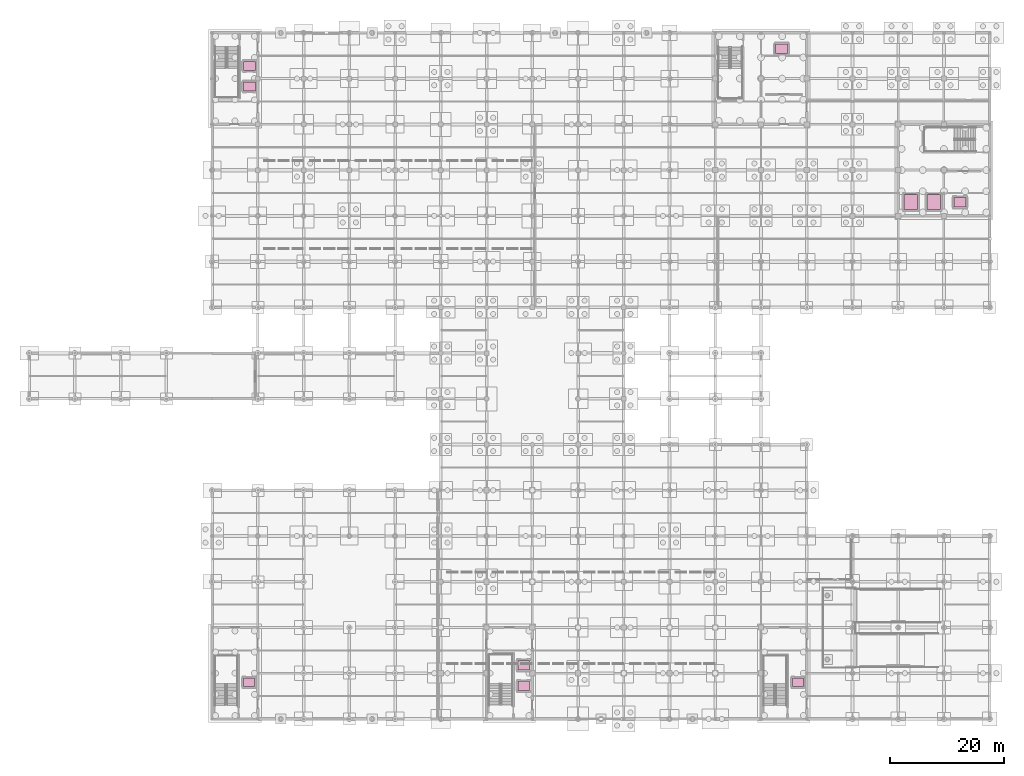
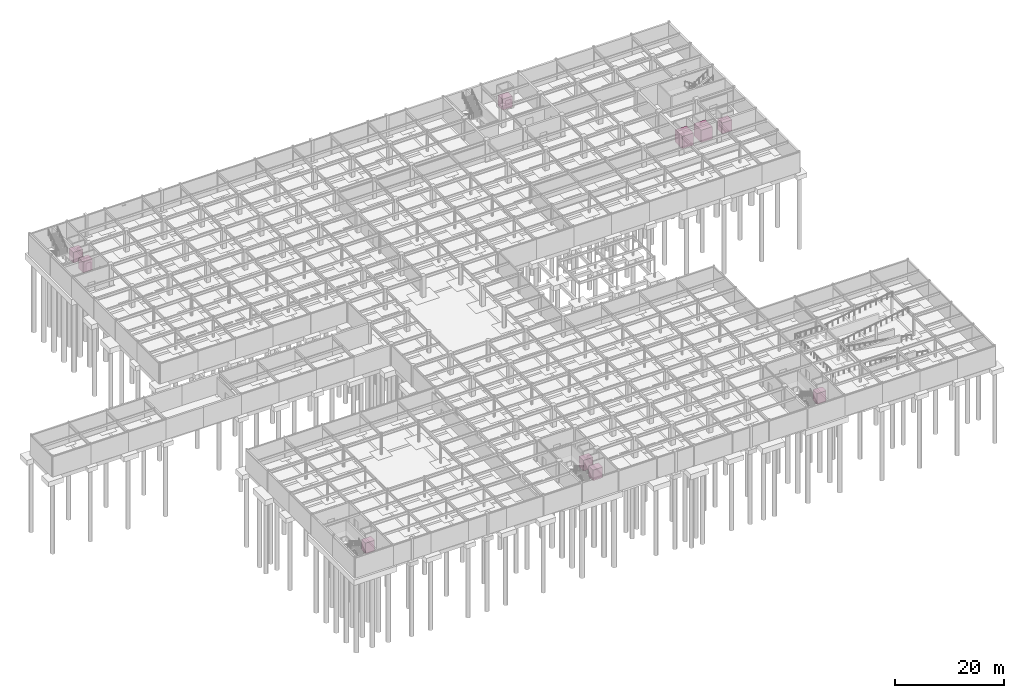
# One storey, part 105 of 105: 10 transport elements.
"""IFC4 building model written with IfcOpenShell, lengths in metres."""

from ifc_helpers import new_model, si_unit, direction, frame, origin, origin_2d, place, context, subcontext, project, spatial, rectangle, extrude, material, type_object, element, save


model = new_model("IFC4")

# Units and contexts
model_context = context("Model", 3, precision=1e-05, world=origin(), true_north=direction((0.0, 1.0)))
body_context = subcontext(model_context, "Body", "Model", "MODEL_VIEW")
ifc_project = project(units=[si_unit("LENGTHUNIT", "METRE"), si_unit("AREAUNIT", "SQUARE_METRE"), si_unit("VOLUMEUNIT", "CUBIC_METRE"), si_unit("PLANEANGLEUNIT", "RADIAN"), si_unit("MASSUNIT", "GRAM", prefix="KILO")], contexts=[model_context])

# Site, building, storey
site_placement = place(None, origin())
site = spatial("IfcSite", under=ifc_project, at=site_placement, CompositionType="ELEMENT")
building_placement = place(site_placement, origin())
building = spatial("IfcBuilding", under=site, at=building_placement, Name="Solmirada Galleria", CompositionType="ELEMENT")
storey_placement = place(building_placement, frame((0.0, 0.0, -4.800048828125)))
storey = spatial("IfcBuildingStorey", under=building, at=storey_placement, Name="B1", CompositionType="ELEMENT", Elevation=-4.800048828125)

# Transport elements
ifc_material = material(Name="Stainless-steel and stone elevator cab", Category="masonry")
transport_element_type_1 = type_object("IfcTransportElementType", Name="LIFT-FF-1800", PredefinedType="ELEVATOR", material=ifc_material)
for number, where, z_axis, x_axis, name in (
    (1, (139.60009765625, 117.199951171875, 0.0), (0.0, 0.0, 1.0), (1.0, 0.0, 0.0), "Elevator FL1"),
    (2, (170.800048828125, 90.39990234375, 0.0), (0.0, 0.0, 1.0), (1.0, 0.0, 0.0), "Elevator FL2"),
):
    element("IfcTransportElement", number, at=place(storey_placement, frame(where, z_axis=z_axis, x_axis=x_axis)), inside=storey, type_object=transport_element_type_1, Name=name, PredefinedType="ELEVATOR", context=body_context, shape_type="SweptSolid", body=[
        extrude(rectangle(XDim=2.10009765625, YDim=1.64990234375, at=origin_2d()), origin(), (0.0, 0.0, 1.0), 2.449951171875),
    ])
transport_element_type_2 = type_object("IfcTransportElementType", Name="LIFT-GDS-3500", PredefinedType="ELEVATOR", material=ifc_material)
for number, where, z_axis, x_axis, name in (
    (3, (166.199951171875, 90.39990234375, 0.0), (0.0, 0.0, 1.0), (1.0, 0.0, 0.0), "Elevator GF1"),
    (4, (162.199951171875, 90.39990234375, 0.0), (0.0, 0.0, 1.0), (1.0, 0.0, 0.0), "Elevator GF2"),
):
    element("IfcTransportElement", number, at=place(storey_placement, frame(where, z_axis=z_axis, x_axis=x_axis)), inside=storey, type_object=transport_element_type_2, Name=name, PredefinedType="ELEVATOR", context=body_context, shape_type="SweptSolid", body=[
        extrude(rectangle(XDim=2.39990234375, YDim=2.60009765625, at=origin_2d()), origin(), (0.0, 0.0, 1.0), 2.75),
    ])
transport_element_type_3 = type_object("IfcTransportElementType", Name="LIFT-PAX-1350", PredefinedType="ELEVATOR", material=ifc_material)
for number, where, z_axis, x_axis, name in (
    (5, (46.449951171875, 6.39990234375, 0.0), (0.0, 0.0, 1.0), (1.0, 0.0, 0.0), "Elevator LP5"),
    (6, (142.449951171875, 6.39990234375, 0.0), (0.0, 0.0, 1.0), (1.0, 0.0, 0.0), "Elevator LP6"),
):
    element("IfcTransportElement", number, at=place(storey_placement, frame(where, z_axis=z_axis, x_axis=x_axis)), inside=storey, type_object=transport_element_type_3, Name=name, PredefinedType="ELEVATOR", context=body_context, shape_type="SweptSolid", body=[
        extrude(rectangle(XDim=1.949951171875, YDim=1.5, at=origin_2d()), origin(), (0.0, 0.0, 1.0), 2.39990234375),
    ])
transport_element_type_4 = type_object("IfcTransportElementType", Name="LIFT-PAX-1600", PredefinedType="ELEVATOR", material=ifc_material)
for number, where, z_axis, x_axis, name in (
    (7, (46.550048828125, 114.199951171875, 0.0), (0.0, 0.0, 1.0), (1.0, 0.0, 0.0), "Elevator LP1"),
    (8, (46.550048828125, 110.60009765625, 0.0), (0.0, 0.0, 1.0), (1.0, 0.0, 0.0), "Elevator LP2"),
    (9, (94.5, 5.800048828125, 0.0), (0.0, 0.0, 1.0), (1.0, 0.0, 0.0), "Elevator LP3"),
    (10, (94.5, 9.39990234375, 0.0), (0.0, 0.0, 1.0), (1.0, 0.0, 0.0), "Elevator LP4"),
):
    element("IfcTransportElement", number, at=place(storey_placement, frame(where, z_axis=z_axis, x_axis=x_axis)), inside=storey, type_object=transport_element_type_4, Name=name, PredefinedType="ELEVATOR", context=body_context, shape_type="SweptSolid", body=[
        extrude(rectangle(XDim=2.050048828125, YDim=1.60009765625, at=origin_2d()), origin(), (0.0, 0.0, 1.0), 2.39990234375),
    ])

save(model, "model.ifc")
